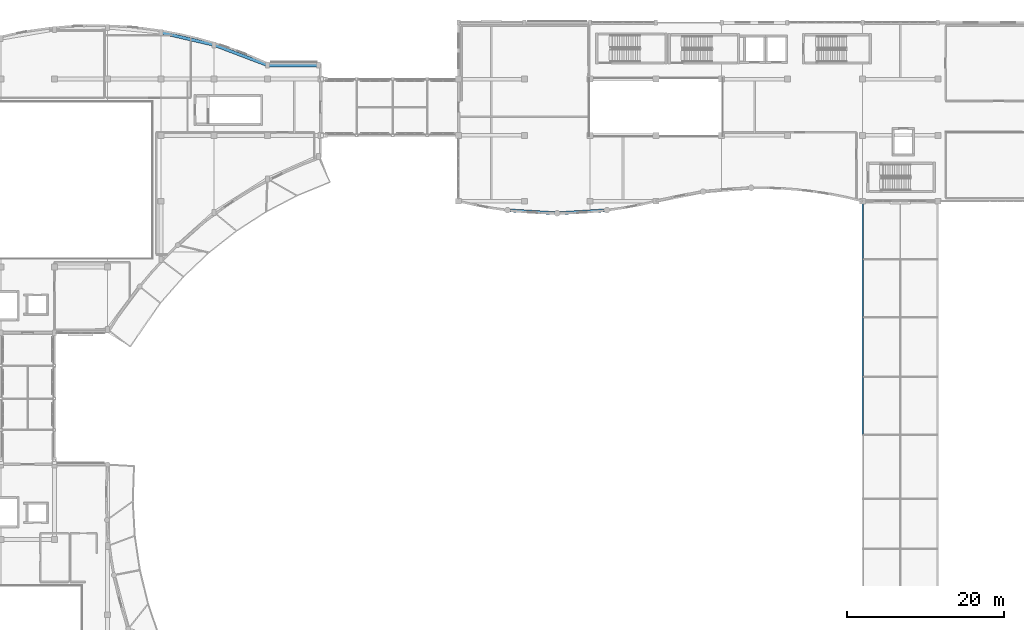
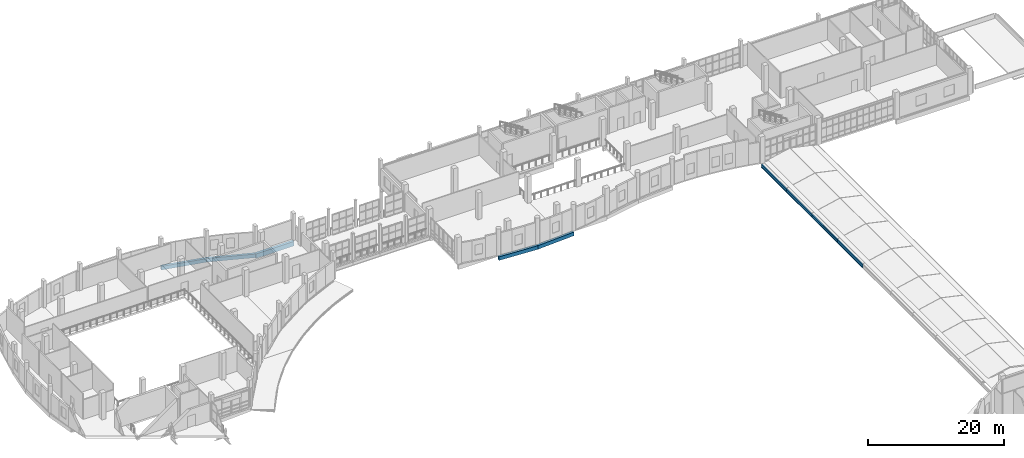
# One storey, part 31 of 106: 9 beams.
"""IFC4 building model written with IfcOpenShell, lengths in metres."""

import ifcopenshell
import ifcopenshell.guid

model = None  # the IFC model being written
_history = None  # IfcOwnerHistory: only IFC2X3 demands one
_inside = {}  # id of a spatial element -> (the spatial element, [elements in it])
_under = {}  # id of a project, library or spatial element -> (it, [spatial elements below it])
_declared = {}  # id of a project -> (the project, [libraries it declares])
_typed = {}  # id of a type object -> (the type object, [elements of that type])
_made_of = {}  # id of a material, layer set ... -> (it, [elements and type objects made of it])


def new_model(schema):
    """Start an empty IFC model of exactly this schema.

    Asked for "IFC4X3", IfcOpenShell would pick the latest addendum, in which some entities
    have other attributes; the version numbers below select the first issue.
    IFC2X3 requires an IfcOwnerHistory on every rooted entity: one is made here for all.
    """
    global model, _history
    if schema == "IFC4X3":
        model = ifcopenshell.file(schema_version=(4, 3, 0, 0))
    else:
        model = ifcopenshell.file(schema=schema)
    _inside.clear()
    _under.clear()
    _declared.clear()
    _typed.clear()
    _made_of.clear()
    _history = None
    if model.schema == "IFC2X3":
        org = make("IfcOrganization", Name="unknown")
        user = make(
            "IfcPersonAndOrganization",
            ThePerson=make("IfcPerson", FamilyName="unknown"),
            TheOrganization=org,
        )
        app = make(
            "IfcApplication",
            ApplicationDeveloper=org,
            Version="unknown",
            ApplicationFullName="unknown",
            ApplicationIdentifier="unknown",
        )
        _history = make(
            "IfcOwnerHistory",
            OwningUser=user,
            OwningApplication=app,
            ChangeAction="ADDED",
            CreationDate=0,
        )
    return model


def make(cls, **values):
    """One entity of the class cls with the attributes given. An attribute that is None is left unset."""
    return model.create_entity(
        cls, **{name: value for name, value in values.items() if value is not None}
    )


def rooted(cls, **values):
    """An entity with a GlobalId (a new one), such as an element, a storey or a relation."""
    return make(cls, GlobalId=ifcopenshell.guid.new(), OwnerHistory=_history, **values)


def si_unit(unit_type, name, prefix=None):
    """IfcSIUnit, for example si_unit("LENGTHUNIT", "METRE", prefix="MILLI")."""
    return make("IfcSIUnit", UnitType=unit_type, Prefix=prefix, Name=name)


def assignment(units):
    """IfcUnitAssignment: the units of a project."""
    return None if units is None else make("IfcUnitAssignment", Units=units)


def point(xyz):
    """IfcCartesianPoint."""
    return None if xyz is None else make("IfcCartesianPoint", Coordinates=xyz)


def direction(xyz):
    """IfcDirection."""
    return None if xyz is None else make("IfcDirection", DirectionRatios=xyz)


def frame(location, z_axis=None, x_axis=None):
    """IfcAxis2Placement3D, a coordinate frame: its origin and axes. An axis left out is left unset."""
    return make(
        "IfcAxis2Placement3D",
        Location=point(location),
        Axis=direction(z_axis),
        RefDirection=direction(x_axis),
    )


def frame_2d(location, x_axis=None):
    """IfcAxis2Placement2D, a coordinate frame in the plane: its origin and x axis."""
    return make(
        "IfcAxis2Placement2D", Location=point(location), RefDirection=direction(x_axis)
    )


def origin():
    """The frame at (0, 0, 0) with its axes left unset."""
    return frame((0.0, 0.0, 0.0))


def origin_2d():
    """The frame at (0, 0) in the plane with its x axis left unset."""
    return frame_2d((0.0, 0.0))


def place(relative_to, where):
    """IfcLocalPlacement: puts the frame where relative to a parent placement (None: the world)."""
    return make(
        "IfcLocalPlacement", PlacementRelTo=relative_to, RelativePlacement=where
    )


def context(
    kind, dimensions, precision=None, world=None, true_north=None, identifier=None
):
    """IfcGeometricRepresentationContext, for example the 3D "Model" context."""
    return make(
        "IfcGeometricRepresentationContext",
        ContextIdentifier=identifier,
        ContextType=kind,
        CoordinateSpaceDimension=dimensions,
        Precision=precision,
        WorldCoordinateSystem=world,
        TrueNorth=true_north,
    )


def subcontext(parent, identifier, kind, view, scale=None):
    """IfcGeometricRepresentationSubContext, for example "Body" below "Model"."""
    return make(
        "IfcGeometricRepresentationSubContext",
        ContextIdentifier=identifier,
        ContextType=kind,
        ParentContext=parent,
        TargetScale=scale,
        TargetView=view,
    )


def project(units=None, contexts=None):
    """IfcProject with its units and contexts."""
    return rooted(
        "IfcProject",
        Name="project",
        RepresentationContexts=contexts,
        UnitsInContext=assignment(units),
    )


def spatial(cls, under=None, at=None, **own):
    """A site, building, storey or space (cls), placed at a placement, below another one or the project."""
    s = rooted(cls, ObjectPlacement=at, **own)
    if under is not None:
        _under.setdefault(under.id(), (under, []))[1].append(s)
    return s


def profile(cls, at=None, kind="AREA", **sizes):
    """A parametric profile (cls). Its sizes go by their IFC names, for example OverallWidth=200.0."""
    return make(cls, ProfileType=kind, Position=at, **sizes)


def rectangle(**sizes):
    """IfcRectangleProfileDef."""
    return profile("IfcRectangleProfileDef", **sizes)


def i_section(**sizes):
    """IfcIShapeProfileDef."""
    return profile("IfcIShapeProfileDef", **sizes)


def extrude(swept, where, along, depth):
    """IfcExtrudedAreaSolid: the profile swept, set in the frame where, extruded along a direction by depth."""
    return make(
        "IfcExtrudedAreaSolid",
        SweptArea=swept,
        Position=where,
        ExtrudedDirection=direction(along),
        Depth=depth,
    )


def shape(context_of_items, identifier, shape_type, items):
    """IfcShapeRepresentation: the items that make up one representation, for example the "Body"."""
    return make(
        "IfcShapeRepresentation",
        ContextOfItems=context_of_items,
        RepresentationIdentifier=identifier,
        RepresentationType=shape_type,
        Items=items,
    )


def material(Name=None, Category=None):
    """IfcMaterial."""
    return make("IfcMaterial", Name=Name, Category=Category)


def material_profile(
    of_material, cross_section, Name=None, Category=None, Priority=None
):
    """IfcMaterialProfile: a cross section and its material."""
    return make(
        "IfcMaterialProfile",
        Name=Name,
        Material=of_material,
        Profile=cross_section,
        Priority=Priority,
        Category=Category,
    )


def profile_set(profiles, Name=None, composite=None):
    """IfcMaterialProfileSet."""
    return make(
        "IfcMaterialProfileSet",
        Name=Name,
        MaterialProfiles=profiles,
        CompositeProfile=composite,
    )


def made_of(thing, what):
    """Note that an element or type object is made of a material, layer set ...; save() writes the relation."""
    if what is not None:
        _made_of.setdefault(what.id(), (what, []))[1].append(thing)
    return thing


def type_object(cls, material=None, **own):
    """A type object (cls), such as IfcWallType, which elements share."""
    return made_of(rooted(cls, **own), material)


def element(
    cls,
    number,
    at=None,
    inside=None,
    cuts=None,
    type_object=None,
    material=None,
    context=None,
    identifier="Body",
    shape_type=None,
    held_by="IfcProductDefinitionShape",
    body=None,
    shapes=None,
    **own,
):
    """One element of the class cls, such as IfcWall. Its Tag is "e" and its number.

    at: its placement. inside: the storey or other place that contains it. cuts: it is an
    opening in that element (IfcRelVoidsElement). A single representation is given by context,
    identifier, shape_type and body (its items); several are given by shapes. held_by: the class
    of the entity that holds the representations. save() writes the other relations.
    """
    e = rooted(cls, Tag="e%d" % number, ObjectPlacement=at, **own)
    if body is not None:
        shapes = [shape(context, identifier, shape_type, body)]
    if shapes is not None:
        e.Representation = make(held_by, Representations=shapes)
    if inside is not None:
        _inside.setdefault(inside.id(), (inside, []))[1].append(e)
    if cuts is not None:
        rooted(
            "IfcRelVoidsElement", RelatingBuildingElement=cuts, RelatedOpeningElement=e
        )
    if type_object is not None:
        _typed.setdefault(type_object.id(), (type_object, []))[1].append(e)
    return made_of(e, material)


def aggregate(whole, parts):
    """IfcRelAggregates: a whole, such as a stair, and the parts it consists of."""
    return rooted("IfcRelAggregates", RelatingObject=whole, RelatedObjects=parts)


def save(model, path):
    """Write the relations noted so far, then the file.

    IfcRelAggregates (storeys below a building ...), IfcRelContainedInSpatialStructure (elements
    in a storey), IfcRelDefinesByType, IfcRelAssociatesMaterial and IfcRelDeclares: one each for
    every whole, place, type object, material and project.
    """
    for whole, parts in _under.values():
        aggregate(whole, parts)
    for where, things in _inside.values():
        rooted(
            "IfcRelContainedInSpatialStructure",
            RelatedElements=things,
            RelatingStructure=where,
        )
    for kind, things in _typed.values():
        rooted("IfcRelDefinesByType", RelatedObjects=things, RelatingType=kind)
    for what, things in _made_of.values():
        rooted("IfcRelAssociatesMaterial", RelatedObjects=things, RelatingMaterial=what)
    for by, libraries in _declared.values():
        rooted("IfcRelDeclares", RelatingContext=by, RelatedDefinitions=libraries)
    model.write(path)


model = new_model("IFC4")

# Units and contexts
model_context = context("Model", 3, precision=1e-05, world=origin(), true_north=direction((0.0, 1.0)))
body_context = subcontext(model_context, "Body", "Model", "MODEL_VIEW")
ifc_project = project(units=[si_unit("LENGTHUNIT", "METRE"), si_unit("AREAUNIT", "SQUARE_METRE"), si_unit("VOLUMEUNIT", "CUBIC_METRE"), si_unit("PLANEANGLEUNIT", "RADIAN"), si_unit("MASSUNIT", "GRAM", prefix="KILO")], contexts=[model_context])

# Site, building, storey
site_placement = place(None, origin())
site = spatial("IfcSite", under=ifc_project, at=site_placement, CompositionType="ELEMENT")
building_placement = place(site_placement, origin())
building = spatial("IfcBuilding", under=site, at=building_placement, Name="Kisaragi Civic Commons", CompositionType="ELEMENT")
storey_placement = place(building_placement, frame((0.0, 0.0, 4.800048828125)))
storey = spatial("IfcBuildingStorey", under=building, at=storey_placement, Name="L01", CompositionType="ELEMENT", Elevation=4.800048828125)

# Beams
ifc_material_1 = material(Name="Steel SN490 (SN490B)", Category="steel")
ifc_material_profile_1 = material_profile(ifc_material_1, i_section(OverallWidth=0.199951171875, OverallDepth=0.60009765625, WebThickness=0.010986328125, FlangeThickness=0.01708984375, FilletRadius=0.012939453125, at=origin_2d()), Name="H-600x200x11x17", Category="steel")
ifc_profile_set_1 = profile_set([ifc_material_profile_1], Name="Steel SN490 (SN490B)")
beam_type_1 = type_object("IfcBeamType", Name="G-10", PredefinedType="BEAM", material=ifc_profile_set_1)
beam_1_placement = place(storey_placement, frame((123.60009765625, 96.0, -0.580078125), z_axis=(0.0, -1.0, 0.0), x_axis=(1.0, 0.0, 0.0)))
element("IfcBeam", 1, at=beam_1_placement, inside=storey, type_object=beam_type_1, Name="BR-V4-V3 L01 bridge girder 130", PredefinedType="BEAM", context=body_context, shape_type="SweptSolid", body=[
    extrude(i_section(OverallWidth=0.199951171875, OverallDepth=0.60009765625, WebThickness=0.010986328125, FlangeThickness=0.01708984375, FilletRadius=0.012939453125, at=origin_2d()), origin(), (0.0, 0.0, 1.0), 7.39990234375),
])
beam_2_placement = place(storey_placement, frame((123.60009765625, 88.60009765625, -0.580078125), z_axis=(0.0, -1.0, 0.0), x_axis=(1.0, 0.0, 0.0)))
element("IfcBeam", 2, at=beam_2_placement, inside=storey, type_object=beam_type_1, Name="BR-V4-V3 L01 bridge girder 131", PredefinedType="BEAM", context=body_context, shape_type="SweptSolid", body=[
    extrude(i_section(OverallWidth=0.199951171875, OverallDepth=0.60009765625, WebThickness=0.010986328125, FlangeThickness=0.01708984375, FilletRadius=0.012939453125, at=origin_2d()), origin(), (0.0, 0.0, 1.0), 7.400146484375),
])
beam_3_placement = place(storey_placement, frame((123.60009765625, 81.199951171875, -0.580078125), z_axis=(0.0, -1.0, 0.0), x_axis=(1.0, 0.0, 0.0)))
element("IfcBeam", 3, at=beam_3_placement, inside=storey, type_object=beam_type_1, Name="BR-V4-V3 L01 bridge girder 132", PredefinedType="BEAM", context=body_context, shape_type="SweptSolid", body=[
    extrude(i_section(OverallWidth=0.199951171875, OverallDepth=0.60009765625, WebThickness=0.010986328125, FlangeThickness=0.01708984375, FilletRadius=0.012939453125, at=origin_2d()), origin(), (0.0, 0.0, 1.0), 7.599853515625),
])
beam_4_placement = place(storey_placement, frame((123.60009765625, 73.60009765625, -0.580078125), z_axis=(0.0, -1.0, 0.0), x_axis=(1.0, 0.0, 0.0)))
element("IfcBeam", 4, at=beam_4_placement, inside=storey, type_object=beam_type_1, Name="BR-V4-V3 L01 bridge girder 133", PredefinedType="BEAM", context=body_context, shape_type="SweptSolid", body=[
    extrude(i_section(OverallWidth=0.199951171875, OverallDepth=0.60009765625, WebThickness=0.010986328125, FlangeThickness=0.01708984375, FilletRadius=0.012939453125, at=origin_2d()), origin(), (0.0, 0.0, 1.0), 7.400146484375),
])
ifc_material_2 = material(Name="Concrete Fc30", Category="concrete")
ifc_material_profile_2 = material_profile(ifc_material_2, rectangle(XDim=0.449951171875, YDim=0.800048828125, at=origin_2d()), Name="RC-450x800", Category="concrete")
ifc_profile_set_2 = profile_set([ifc_material_profile_2], Name="Concrete Fc30")
beam_type_2 = type_object("IfcBeamType", Name="SPB-01", PredefinedType="SPANDREL", material=ifc_profile_set_2)
beam_5_placement = place(storey_placement, frame((47.60009765625, 113.3798828125, -0.705078125), z_axis=(1.0, 0.0, 0.0), x_axis=(0.0, 1.0, 0.0)))
element("IfcBeam", 5, at=beam_5_placement, inside=storey, type_object=beam_type_2, Name="L01 girder SPB-01 184", PredefinedType="SPANDREL", context=body_context, shape_type="SweptSolid", body=[
    extrude(rectangle(XDim=0.449951171875, YDim=0.800048828125, at=origin_2d()), origin(), (0.0, 0.0, 1.0), 6.5),
])
ifc_material_profile_3 = material_profile(ifc_material_2, rectangle(XDim=0.39990234375, YDim=0.64990234375, at=origin_2d()), Name="RC-400x650", Category="concrete")
ifc_profile_set_3 = profile_set([ifc_material_profile_3], Name="Concrete Fc30")
beam_type_3 = type_object("IfcBeamType", Name="SPB-02", PredefinedType="SPANDREL", material=ifc_profile_set_3)
beam_6_placement = place(storey_placement, frame((47.60009765625, 113.3798828125, -0.630126953125), z_axis=(-0.934773996424, 0.355242981084, 0.0), x_axis=(-0.355242981084, -0.934773996424, 0.0)))
element("IfcBeam", 6, at=beam_6_placement, inside=storey, type_object=beam_type_3, Name="L01 curved spandrel/ring girder SPB-02 196", PredefinedType="SPANDREL", context=body_context, shape_type="SweptSolid", body=[
    extrude(rectangle(XDim=0.39990234375, YDim=0.64990234375, at=origin_2d()), origin(), (0.0, 0.0, 1.0), 7.274658203125),
])
beam_7_placement = place(storey_placement, frame((40.800048828125, 115.964111328125, -0.630126953125), z_axis=(-0.973996004458, 0.226565185541, 0.0), x_axis=(-0.226565185541, -0.973996004458, 0.0)))
element("IfcBeam", 7, at=beam_7_placement, inside=storey, type_object=beam_type_3, Name="L01 curved spandrel/ring girder SPB-02 197", PredefinedType="SPANDREL", context=body_context, shape_type="SweptSolid", body=[
    extrude(rectangle(XDim=0.39990234375, YDim=0.64990234375, at=origin_2d()), origin(), (0.0, 0.0, 1.0), 6.981689453125),
])
beam_8_placement = place(storey_placement, frame((78.25244140625, 94.839111328125, -0.630126953125), z_axis=(0.998130651242, -0.061116307568, 0.0), x_axis=(0.061116307568, 0.998130651242, 0.0)))
element("IfcBeam", 8, at=beam_8_placement, inside=storey, type_object=beam_type_3, Name="L01 curved spandrel/ring girder SPB-02 241", PredefinedType="SPANDREL", context=body_context, shape_type="SweptSolid", body=[
    extrude(rectangle(XDim=0.39990234375, YDim=0.64990234375, at=origin_2d()), origin(), (0.0, 0.0, 1.0), 6.359619140625),
])
beam_9_placement = place(storey_placement, frame((84.60009765625, 94.450439453125, -0.630126953125), z_axis=(0.998130507841, 0.061118649505, 0.0), x_axis=(-0.061118649505, 0.998130507841, 0.0)))
element("IfcBeam", 9, at=beam_9_placement, inside=storey, type_object=beam_type_3, Name="L01 curved spandrel/ring girder SPB-02 242", PredefinedType="SPANDREL", context=body_context, shape_type="SweptSolid", body=[
    extrude(rectangle(XDim=0.39990234375, YDim=0.64990234375, at=origin_2d()), origin(), (0.0, 0.0, 1.0), 6.359375),
])

save(model, "model.ifc")
